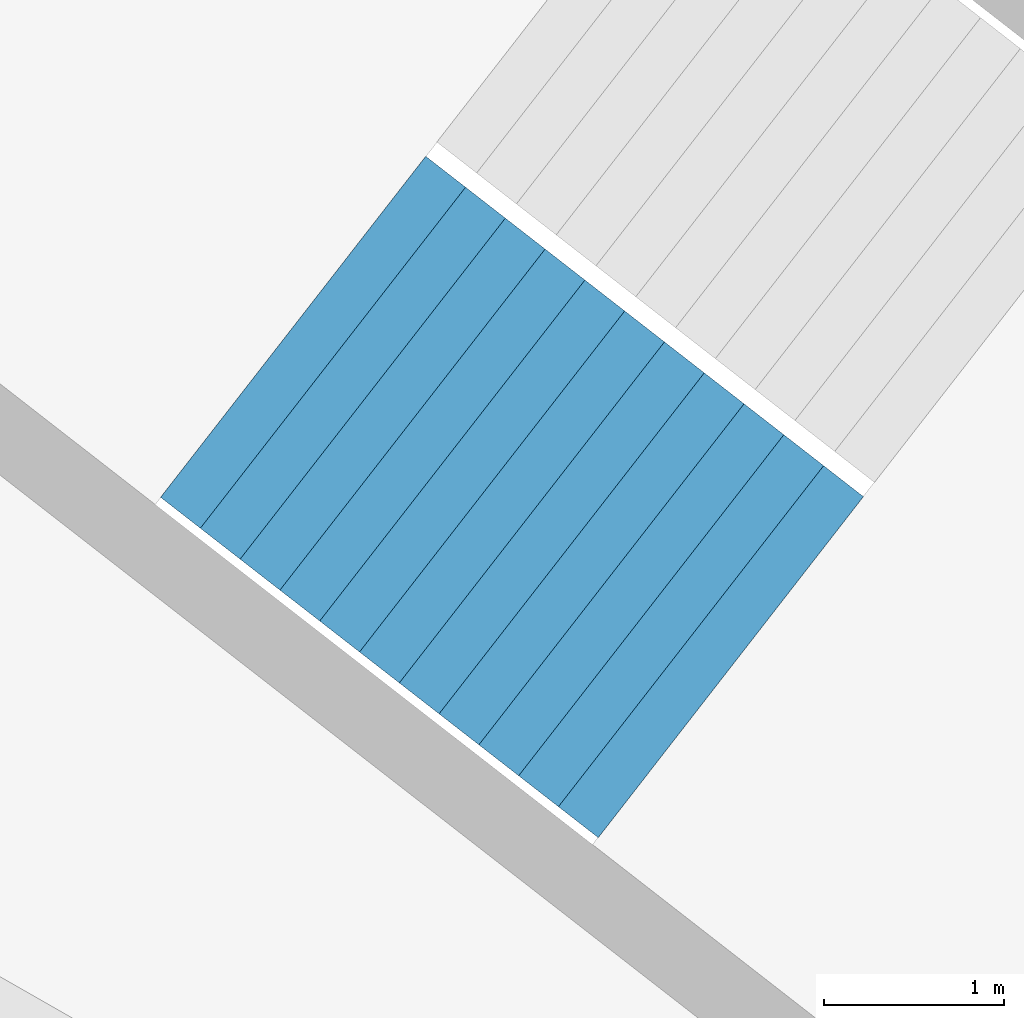
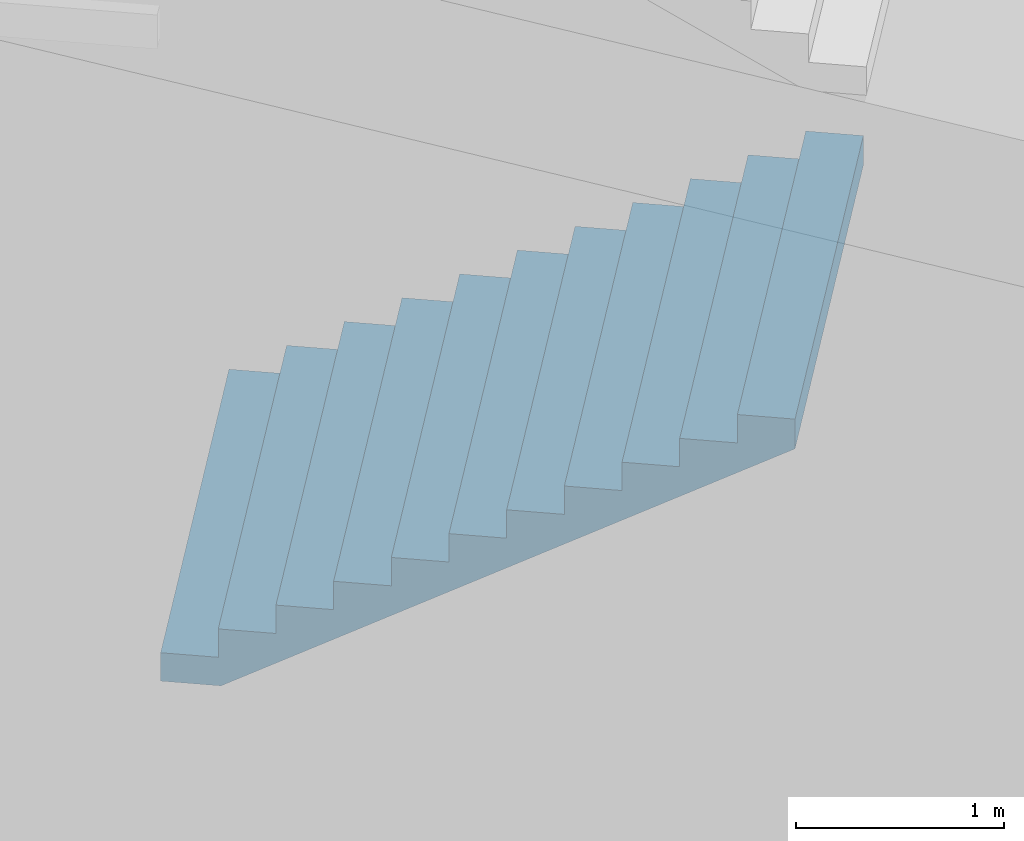
# One storey, part 38 of 74: 1 stair flight, 1 element without a shape of its own.
"""IFC4 building model written with IfcOpenShell, lengths in metres."""

from ifc_helpers import new_model, si_unit, direction, frame, origin, place, context, subcontext, project, spatial, triangles, material, type_object, element, aggregate, save


model = new_model("IFC4")

# Units and contexts
model_context = context("Model", 3, precision=1e-05, world=origin(), true_north=direction((0.0, 1.0)))
body_context = subcontext(model_context, "Body", "Model", "MODEL_VIEW")
ifc_project = project(units=[si_unit("LENGTHUNIT", "METRE"), si_unit("AREAUNIT", "SQUARE_METRE"), si_unit("VOLUMEUNIT", "CUBIC_METRE"), si_unit("PLANEANGLEUNIT", "RADIAN"), si_unit("MASSUNIT", "GRAM", prefix="KILO")], contexts=[model_context])

# Site, building, storey
site_placement = place(None, origin())
site = spatial("IfcSite", under=ifc_project, at=site_placement, CompositionType="ELEMENT")
building_placement = place(site_placement, origin())
building = spatial("IfcBuilding", under=site, at=building_placement, Name="Lantaw Convention Tower", CompositionType="ELEMENT")
storey_placement = place(building_placement, frame((0.0, 0.0, 6.5)))
storey = spatial("IfcBuildingStorey", under=building, at=storey_placement, Name="L01", CompositionType="ELEMENT", Elevation=6.5)

# Stair, stair flight
ifc_material = material(Name="Concrete C35/45", Category="concrete")
stair_type = type_object("IfcStairType", Name="Exit stair 2400 riser 166.67 in 4 flights", PredefinedType="HALF_TURN_STAIR", material=ifc_material)
stair_placement = place(storey_placement, origin())
stair = element("IfcStair", 1, at=stair_placement, inside=storey, type_object=stair_type, Name="Podium exit stair P7 L01", PredefinedType="HALF_TURN_STAIR")
stair_flight_type = type_object("IfcStairFlightType", Name="Stair flight 2400 riser 166.67", PredefinedType="STRAIGHT", material=ifc_material)
stair_flight_placement = place(storey_placement, frame((-31.92578125, 23.245361328125, 2.0), z_axis=(0.0, 0.0, 1.0), x_axis=(0.789378829664, -0.613906396186, 0.0)))
stair_flight = element("IfcStairFlight", 2, at=stair_flight_placement, type_object=stair_flight_type, Name="P7 flight 2", NumberOfRisers=12, NumberOfTreads=11, PredefinedType="STRAIGHT", RiserHeight=0.166666667, TreadLength=0.28, context=body_context, shape_type="Tessellation", body=[
    triangles([(0.0, 1.199951171875, 0.0), (0.0, 1.199951171875, 0.166666667), (0.28, 1.199951171875, 0.0), (0.28, 1.199951171875, 0.166666667), (0.28, 1.199951171875, 0.333333334), (0.29307345806906726, 1.199951171875, 0.0), (0.29307345806906726, 1.199951171875, 0.333333334), (0.56, 1.199951171875, 0.15888484670522965), (0.56, 1.199951171875, 0.333333334), (0.56, 1.199951171875, 0.500000001), (0.8400000000000001, 1.199951171875, 0.3255515137052296), (0.8400000000000001, 1.199951171875, 0.500000001), (0.8400000000000001, 1.199951171875, 0.666666668), (1.12, 1.199951171875, 0.4922181807052296), (1.12, 1.199951171875, 0.666666668), (1.12, 1.199951171875, 0.833333335), (1.4000000000000001, 1.199951171875, 0.6588848477052296), (1.4000000000000001, 1.199951171875, 0.833333335), (1.4000000000000001, 1.199951171875, 1.000000002), (1.6800000000000002, 1.199951171875, 0.8255515147052296), (1.6800000000000002, 1.199951171875, 1.000000002), (1.6800000000000002, 1.199951171875, 1.166666669), (1.9600000000000002, 1.199951171875, 0.9922181817052296), (1.9600000000000002, 1.199951171875, 1.166666669), (1.9600000000000002, 1.199951171875, 1.333333336), (2.24, 1.199951171875, 1.1588848487052295), (2.24, 1.199951171875, 1.333333336), (2.24, 1.199951171875, 1.5000000029999998), (2.5200000000000005, 1.199951171875, 1.3255515157052296), (2.5200000000000005, 1.199951171875, 1.5000000029999998), (2.5200000000000005, 1.199951171875, 1.66666667), (2.8000000000000003, 1.199951171875, 1.4922181827052294), (2.8000000000000003, 1.199951171875, 1.66666667), (2.8000000000000003, 1.199951171875, 1.833333337), (3.08, 1.199951171875, 1.6588848497052293), (3.08, 1.199951171875, 1.833333337), (0.0, -1.199951171875, 0.0), (0.0, -1.199951171875, 0.166666667), (0.28, -1.199951171875, 0.0), (0.28, -1.199951171875, 0.166666667), (0.28, -1.199951171875, 0.333333334), (0.29307345806906726, -1.199951171875, 0.0), (0.29307345806906726, -1.199951171875, 0.333333334), (0.56, -1.199951171875, 0.15888484670522965), (0.56, -1.199951171875, 0.333333334), (0.56, -1.199951171875, 0.500000001), (0.8400000000000001, -1.199951171875, 0.3255515137052296), (0.8400000000000001, -1.199951171875, 0.500000001), (0.8400000000000001, -1.199951171875, 0.666666668), (1.12, -1.199951171875, 0.4922181807052296), (1.12, -1.199951171875, 0.666666668), (1.12, -1.199951171875, 0.833333335), (1.4000000000000001, -1.199951171875, 0.6588848477052296), (1.4000000000000001, -1.199951171875, 0.833333335), (1.4000000000000001, -1.199951171875, 1.000000002), (1.6800000000000002, -1.199951171875, 0.8255515147052296), (1.6800000000000002, -1.199951171875, 1.000000002), (1.6800000000000002, -1.199951171875, 1.166666669), (1.9600000000000002, -1.199951171875, 0.9922181817052296), (1.9600000000000002, -1.199951171875, 1.166666669), (1.9600000000000002, -1.199951171875, 1.333333336), (2.24, -1.199951171875, 1.1588848487052295), (2.24, -1.199951171875, 1.333333336), (2.24, -1.199951171875, 1.5000000029999998), (2.5200000000000005, -1.199951171875, 1.3255515157052296), (2.5200000000000005, -1.199951171875, 1.5000000029999998), (2.5200000000000005, -1.199951171875, 1.66666667), (2.8000000000000003, -1.199951171875, 1.4922181827052294), (2.8000000000000003, -1.199951171875, 1.66666667), (2.8000000000000003, -1.199951171875, 1.833333337), (3.08, -1.199951171875, 1.6588848497052293), (3.08, -1.199951171875, 1.833333337), (0.0, 0.239990234375, 0.166666667), (0.0, 0.239990234375, 0.0), (0.0, 0.1199951171875, 0.166666667), (0.0, 0.1199951171875, 0.0), (0.0, 0.0, 0.166666667), (0.0, 0.0, 0.0), (0.0, -0.1199951171875, 0.166666667), (0.0, -0.1199951171875, 0.0), (0.0, -0.239990234375, 0.166666667), (0.0, -0.239990234375, 0.0), (0.28, 0.239990234375, 0.333333334), (0.28, 0.239990234375, 0.166666667), (0.28, 0.1199951171875, 0.333333334), (0.28, 0.1199951171875, 0.166666667), (0.28, 0.0, 0.333333334), (0.28, 0.0, 0.166666667), (0.28, -0.1199951171875, 0.333333334), (0.28, -0.1199951171875, 0.166666667), (0.28, -0.239990234375, 0.333333334), (0.28, -0.239990234375, 0.166666667), (0.56, 0.239990234375, 0.500000001), (0.56, 0.239990234375, 0.333333334), (0.56, 0.1199951171875, 0.500000001), (0.56, 0.1199951171875, 0.333333334), (0.56, 0.0, 0.500000001), (0.56, 0.0, 0.333333334), (0.56, -0.1199951171875, 0.500000001), (0.56, -0.1199951171875, 0.333333334), (0.56, -0.239990234375, 0.500000001), (0.56, -0.239990234375, 0.333333334), (0.8400000000000001, 0.239990234375, 0.666666668), (0.8400000000000001, 0.239990234375, 0.500000001), (0.8400000000000001, 0.1199951171875, 0.666666668), (0.8400000000000001, 0.1199951171875, 0.500000001), (0.8400000000000001, 0.0, 0.666666668), (0.8400000000000001, 0.0, 0.500000001), (0.8400000000000001, -0.1199951171875, 0.666666668), (0.8400000000000001, -0.1199951171875, 0.500000001), (0.8400000000000001, -0.239990234375, 0.666666668), (0.8400000000000001, -0.239990234375, 0.500000001), (1.12, 0.239990234375, 0.833333335), (1.12, 0.239990234375, 0.666666668), (1.12, 0.1199951171875, 0.833333335), (1.12, 0.1199951171875, 0.666666668), (1.12, 0.0, 0.833333335), (1.12, 0.0, 0.666666668), (1.12, -0.1199951171875, 0.833333335), (1.12, -0.1199951171875, 0.666666668), (1.12, -0.239990234375, 0.833333335), (1.12, -0.239990234375, 0.666666668), (1.4000000000000001, 0.239990234375, 1.000000002), (1.4000000000000001, 0.239990234375, 0.833333335), (1.4000000000000001, 0.1199951171875, 1.000000002), (1.4000000000000001, 0.1199951171875, 0.833333335), (1.4000000000000001, 0.0, 1.000000002), (1.4000000000000001, 0.0, 0.833333335), (1.4000000000000001, -0.1199951171875, 1.000000002), (1.4000000000000001, -0.1199951171875, 0.833333335), (1.4000000000000001, -0.239990234375, 1.000000002), (1.4000000000000001, -0.239990234375, 0.833333335), (1.6800000000000002, 0.239990234375, 1.166666669), (1.6800000000000002, 0.239990234375, 1.000000002), (1.6800000000000002, 0.1199951171875, 1.166666669), (1.6800000000000002, 0.1199951171875, 1.000000002), (1.6800000000000002, 0.0, 1.166666669), (1.6800000000000002, 0.0, 1.000000002), (1.6800000000000002, -0.1199951171875, 1.166666669), (1.6800000000000002, -0.1199951171875, 1.000000002), (1.6800000000000002, -0.239990234375, 1.166666669), (1.6800000000000002, -0.239990234375, 1.000000002), (1.9600000000000002, 0.239990234375, 1.333333336), (1.9600000000000002, 0.239990234375, 1.166666669), (1.9600000000000002, 0.1199951171875, 1.333333336), (1.9600000000000002, 0.1199951171875, 1.166666669), (1.9600000000000002, 0.0, 1.333333336), (1.9600000000000002, 0.0, 1.166666669), (1.9600000000000002, -0.1199951171875, 1.333333336), (1.9600000000000002, -0.1199951171875, 1.166666669), (1.9600000000000002, -0.239990234375, 1.333333336), (1.9600000000000002, -0.239990234375, 1.166666669), (2.24, 0.239990234375, 1.5000000029999998), (2.24, 0.239990234375, 1.333333336), (2.24, 0.1199951171875, 1.5000000029999998), (2.24, 0.1199951171875, 1.333333336), (2.24, 0.0, 1.5000000029999998), (2.24, 0.0, 1.333333336), (2.24, -0.1199951171875, 1.5000000029999998), (2.24, -0.1199951171875, 1.333333336), (2.24, -0.239990234375, 1.5000000029999998), (2.24, -0.239990234375, 1.333333336), (2.5200000000000005, 0.239990234375, 1.66666667), (2.5200000000000005, 0.239990234375, 1.5000000029999998), (2.5200000000000005, 0.1199951171875, 1.66666667), (2.5200000000000005, 0.1199951171875, 1.5000000029999998), (2.5200000000000005, 0.0, 1.66666667), (2.5200000000000005, 0.0, 1.5000000029999998), (2.5200000000000005, -0.1199951171875, 1.66666667), (2.5200000000000005, -0.1199951171875, 1.5000000029999998), (2.5200000000000005, -0.239990234375, 1.66666667), (2.5200000000000005, -0.239990234375, 1.5000000029999998), (2.8000000000000003, 0.239990234375, 1.833333337), (2.8000000000000003, 0.239990234375, 1.66666667), (2.8000000000000003, 0.1199951171875, 1.833333337), (2.8000000000000003, 0.1199951171875, 1.66666667), (2.8000000000000003, 0.0, 1.833333337), (2.8000000000000003, 0.0, 1.66666667), (2.8000000000000003, -0.1199951171875, 1.833333337), (2.8000000000000003, -0.1199951171875, 1.66666667), (2.8000000000000003, -0.239990234375, 1.833333337), (2.8000000000000003, -0.239990234375, 1.66666667), (0.29307345806906726, 0.239990234375, 0.333333334), (0.29307345806906726, 0.1199951171875, 0.333333334), (0.29307345806906726, 0.0, 0.333333334), (0.29307345806906726, -0.1199951171875, 0.333333334), (0.29307345806906726, -0.239990234375, 0.333333334), (3.08, 0.239990234375, 1.833333337), (3.08, 0.1199951171875, 1.833333337), (3.08, 0.0, 1.833333337), (3.08, -0.1199951171875, 1.833333337), (3.08, -0.239990234375, 1.833333337), (3.08, 0.239990234375, 1.6588848497052293), (3.08, 0.1199951171875, 1.6588848497052293), (3.08, 0.0, 1.6588848497052293), (3.08, -0.1199951171875, 1.6588848497052293), (3.08, -0.239990234375, 1.6588848497052293), (2.8000000000000003, 0.239990234375, 1.4922181827052294), (2.8000000000000003, 0.1199951171875, 1.4922181827052294), (2.8000000000000003, 0.0, 1.4922181827052294), (2.8000000000000003, -0.1199951171875, 1.4922181827052294), (2.8000000000000003, -0.239990234375, 1.4922181827052294), (2.5200000000000005, 0.239990234375, 1.3255515157052296), (2.5200000000000005, 0.1199951171875, 1.3255515157052296), (2.5200000000000005, 0.0, 1.3255515157052296), (2.5200000000000005, -0.1199951171875, 1.3255515157052296), (2.5200000000000005, -0.239990234375, 1.3255515157052296), (2.24, 0.239990234375, 1.1588848487052295), (2.24, 0.1199951171875, 1.1588848487052295), (2.24, 0.0, 1.1588848487052295), (2.24, -0.1199951171875, 1.1588848487052295), (2.24, -0.239990234375, 1.1588848487052295), (1.9600000000000002, 0.239990234375, 0.9922181817052296), (1.9600000000000002, 0.1199951171875, 0.9922181817052296), (1.9600000000000002, 0.0, 0.9922181817052296), (1.9600000000000002, -0.1199951171875, 0.9922181817052296), (1.9600000000000002, -0.239990234375, 0.9922181817052296), (1.6800000000000002, 0.239990234375, 0.8255515147052296), (1.6800000000000002, 0.1199951171875, 0.8255515147052296), (1.6800000000000002, 0.0, 0.8255515147052296), (1.6800000000000002, -0.1199951171875, 0.8255515147052296), (1.6800000000000002, -0.239990234375, 0.8255515147052296), (1.4000000000000001, 0.239990234375, 0.6588848477052296), (1.4000000000000001, 0.1199951171875, 0.6588848477052296), (1.4000000000000001, 0.0, 0.6588848477052296), (1.4000000000000001, -0.1199951171875, 0.6588848477052296), (1.4000000000000001, -0.239990234375, 0.6588848477052296), (1.12, 0.239990234375, 0.4922181807052296), (1.12, 0.1199951171875, 0.4922181807052296), (1.12, 0.0, 0.4922181807052296), (1.12, -0.1199951171875, 0.4922181807052296), (1.12, -0.239990234375, 0.4922181807052296), (0.8400000000000001, 0.239990234375, 0.3255515137052296), (0.8400000000000001, 0.1199951171875, 0.3255515137052296), (0.8400000000000001, 0.0, 0.3255515137052296), (0.8400000000000001, -0.1199951171875, 0.3255515137052296), (0.8400000000000001, -0.239990234375, 0.3255515137052296), (0.56, 0.239990234375, 0.15888484670522965), (0.56, 0.1199951171875, 0.15888484670522965), (0.56, 0.0, 0.15888484670522965), (0.56, -0.1199951171875, 0.15888484670522965), (0.56, -0.239990234375, 0.15888484670522965), (0.29307345806906726, 0.239990234375, 0.0), (0.29307345806906726, 0.1199951171875, 0.0), (0.29307345806906726, 0.0, 0.0), (0.29307345806906726, -0.1199951171875, 0.0), (0.29307345806906726, -0.239990234375, 0.0), (0.28, 0.239990234375, 0.0), (0.28, 0.1199951171875, 0.0), (0.28, 0.0, 0.0), (0.28, -0.1199951171875, 0.0), (0.28, -0.239990234375, 0.0)], [[1, 4, 3], [1, 2, 4], [3, 4, 6], [4, 7, 6], [4, 5, 7], [6, 9, 8], [6, 7, 9], [8, 9, 11], [9, 12, 11], [9, 10, 12], [11, 12, 14], [12, 15, 14], [12, 13, 15], [14, 15, 17], [15, 18, 17], [15, 16, 18], [17, 18, 20], [18, 21, 20], [18, 19, 21], [20, 21, 23], [21, 24, 23], [21, 22, 24], [23, 24, 26], [24, 27, 26], [24, 25, 27], [26, 27, 29], [27, 30, 29], [27, 28, 30], [29, 30, 32], [30, 33, 32], [30, 31, 33], [32, 33, 35], [33, 36, 35], [33, 34, 36], [37, 39, 40], [37, 40, 38], [39, 42, 40], [40, 42, 43], [40, 43, 41], [42, 44, 45], [42, 45, 43], [44, 47, 45], [45, 47, 48], [45, 48, 46], [47, 50, 48], [48, 50, 51], [48, 51, 49], [50, 53, 51], [51, 53, 54], [51, 54, 52], [53, 56, 54], [54, 56, 57], [54, 57, 55], [56, 59, 57], [57, 59, 60], [57, 60, 58], [59, 62, 60], [60, 62, 63], [60, 63, 61], [62, 65, 63], [63, 65, 66], [63, 66, 64], [65, 68, 66], [66, 68, 69], [66, 69, 67], [68, 71, 69], [69, 71, 72], [69, 72, 70], [1, 73, 2], [1, 74, 73], [74, 75, 73], [74, 76, 75], [76, 77, 75], [76, 78, 77], [78, 79, 77], [78, 80, 79], [80, 81, 79], [80, 82, 81], [82, 38, 81], [82, 37, 38], [4, 83, 5], [4, 84, 83], [84, 85, 83], [84, 86, 85], [86, 87, 85], [86, 88, 87], [88, 89, 87], [88, 90, 89], [90, 91, 89], [90, 92, 91], [92, 41, 91], [92, 40, 41], [9, 93, 10], [9, 94, 93], [94, 95, 93], [94, 96, 95], [96, 97, 95], [96, 98, 97], [98, 99, 97], [98, 100, 99], [100, 101, 99], [100, 102, 101], [102, 46, 101], [102, 45, 46], [12, 103, 13], [12, 104, 103], [104, 105, 103], [104, 106, 105], [106, 107, 105], [106, 108, 107], [108, 109, 107], [108, 110, 109], [110, 111, 109], [110, 112, 111], [112, 49, 111], [112, 48, 49], [15, 113, 16], [15, 114, 113], [114, 115, 113], [114, 116, 115], [116, 117, 115], [116, 118, 117], [118, 119, 117], [118, 120, 119], [120, 121, 119], [120, 122, 121], [122, 52, 121], [122, 51, 52], [18, 123, 19], [18, 124, 123], [124, 125, 123], [124, 126, 125], [126, 127, 125], [126, 128, 127], [128, 129, 127], [128, 130, 129], [130, 131, 129], [130, 132, 131], [132, 55, 131], [132, 54, 55], [21, 133, 22], [21, 134, 133], [134, 135, 133], [134, 136, 135], [136, 137, 135], [136, 138, 137], [138, 139, 137], [138, 140, 139], [140, 141, 139], [140, 142, 141], [142, 58, 141], [142, 57, 58], [24, 143, 25], [24, 144, 143], [144, 145, 143], [144, 146, 145], [146, 147, 145], [146, 148, 147], [148, 149, 147], [148, 150, 149], [150, 151, 149], [150, 152, 151], [152, 61, 151], [152, 60, 61], [27, 153, 28], [27, 154, 153], [154, 155, 153], [154, 156, 155], [156, 157, 155], [156, 158, 157], [158, 159, 157], [158, 160, 159], [160, 161, 159], [160, 162, 161], [162, 64, 161], [162, 63, 64], [30, 163, 31], [30, 164, 163], [164, 165, 163], [164, 166, 165], [166, 167, 165], [166, 168, 167], [168, 169, 167], [168, 170, 169], [170, 171, 169], [170, 172, 171], [172, 67, 171], [172, 66, 67], [33, 173, 34], [33, 174, 173], [174, 175, 173], [174, 176, 175], [176, 177, 175], [176, 178, 177], [178, 179, 177], [178, 180, 179], [180, 181, 179], [180, 182, 181], [182, 70, 181], [182, 69, 70], [2, 84, 4], [2, 73, 84], [73, 86, 84], [73, 75, 86], [75, 88, 86], [75, 77, 88], [77, 90, 88], [77, 79, 90], [79, 92, 90], [79, 81, 92], [81, 40, 92], [81, 38, 40], [5, 183, 7], [5, 83, 183], [83, 184, 183], [83, 85, 184], [85, 185, 184], [85, 87, 185], [87, 186, 185], [87, 89, 186], [89, 187, 186], [89, 91, 187], [91, 43, 187], [91, 41, 43], [7, 94, 9], [7, 183, 94], [183, 96, 94], [183, 184, 96], [184, 98, 96], [184, 185, 98], [185, 100, 98], [185, 186, 100], [186, 102, 100], [186, 187, 102], [187, 45, 102], [187, 43, 45], [10, 104, 12], [10, 93, 104], [93, 106, 104], [93, 95, 106], [95, 108, 106], [95, 97, 108], [97, 110, 108], [97, 99, 110], [99, 112, 110], [99, 101, 112], [101, 48, 112], [101, 46, 48], [13, 114, 15], [13, 103, 114], [103, 116, 114], [103, 105, 116], [105, 118, 116], [105, 107, 118], [107, 120, 118], [107, 109, 120], [109, 122, 120], [109, 111, 122], [111, 51, 122], [111, 49, 51], [16, 124, 18], [16, 113, 124], [113, 126, 124], [113, 115, 126], [115, 128, 126], [115, 117, 128], [117, 130, 128], [117, 119, 130], [119, 132, 130], [119, 121, 132], [121, 54, 132], [121, 52, 54], [19, 134, 21], [19, 123, 134], [123, 136, 134], [123, 125, 136], [125, 138, 136], [125, 127, 138], [127, 140, 138], [127, 129, 140], [129, 142, 140], [129, 131, 142], [131, 57, 142], [131, 55, 57], [22, 144, 24], [22, 133, 144], [133, 146, 144], [133, 135, 146], [135, 148, 146], [135, 137, 148], [137, 150, 148], [137, 139, 150], [139, 152, 150], [139, 141, 152], [141, 60, 152], [141, 58, 60], [25, 154, 27], [25, 143, 154], [143, 156, 154], [143, 145, 156], [145, 158, 156], [145, 147, 158], [147, 160, 158], [147, 149, 160], [149, 162, 160], [149, 151, 162], [151, 63, 162], [151, 61, 63], [28, 164, 30], [28, 153, 164], [153, 166, 164], [153, 155, 166], [155, 168, 166], [155, 157, 168], [157, 170, 168], [157, 159, 170], [159, 172, 170], [159, 161, 172], [161, 66, 172], [161, 64, 66], [31, 174, 33], [31, 163, 174], [163, 176, 174], [163, 165, 176], [165, 178, 176], [165, 167, 178], [167, 180, 178], [167, 169, 180], [169, 182, 180], [169, 171, 182], [171, 69, 182], [171, 67, 69], [34, 188, 36], [34, 173, 188], [173, 189, 188], [173, 175, 189], [175, 190, 189], [175, 177, 190], [177, 191, 190], [177, 179, 191], [179, 192, 191], [179, 181, 192], [181, 72, 192], [181, 70, 72], [36, 193, 35], [36, 188, 193], [188, 194, 193], [188, 189, 194], [189, 195, 194], [189, 190, 195], [190, 196, 195], [190, 191, 196], [191, 197, 196], [191, 192, 197], [192, 71, 197], [192, 72, 71], [35, 198, 32], [35, 193, 198], [193, 199, 198], [193, 194, 199], [194, 200, 199], [194, 195, 200], [195, 201, 200], [195, 196, 201], [196, 202, 201], [196, 197, 202], [197, 68, 202], [197, 71, 68], [32, 203, 29], [32, 198, 203], [198, 204, 203], [198, 199, 204], [199, 205, 204], [199, 200, 205], [200, 206, 205], [200, 201, 206], [201, 207, 206], [201, 202, 207], [202, 65, 207], [202, 68, 65], [29, 208, 26], [29, 203, 208], [203, 209, 208], [203, 204, 209], [204, 210, 209], [204, 205, 210], [205, 211, 210], [205, 206, 211], [206, 212, 211], [206, 207, 212], [207, 62, 212], [207, 65, 62], [26, 213, 23], [26, 208, 213], [208, 214, 213], [208, 209, 214], [209, 215, 214], [209, 210, 215], [210, 216, 215], [210, 211, 216], [211, 217, 216], [211, 212, 217], [212, 59, 217], [212, 62, 59], [23, 218, 20], [23, 213, 218], [213, 219, 218], [213, 214, 219], [214, 220, 219], [214, 215, 220], [215, 221, 220], [215, 216, 221], [216, 222, 221], [216, 217, 222], [217, 56, 222], [217, 59, 56], [20, 223, 17], [20, 218, 223], [218, 224, 223], [218, 219, 224], [219, 225, 224], [219, 220, 225], [220, 226, 225], [220, 221, 226], [221, 227, 226], [221, 222, 227], [222, 53, 227], [222, 56, 53], [17, 228, 14], [17, 223, 228], [223, 229, 228], [223, 224, 229], [224, 230, 229], [224, 225, 230], [225, 231, 230], [225, 226, 231], [226, 232, 231], [226, 227, 232], [227, 50, 232], [227, 53, 50], [14, 233, 11], [14, 228, 233], [228, 234, 233], [228, 229, 234], [229, 235, 234], [229, 230, 235], [230, 236, 235], [230, 231, 236], [231, 237, 236], [231, 232, 237], [232, 47, 237], [232, 50, 47], [11, 238, 8], [11, 233, 238], [233, 239, 238], [233, 234, 239], [234, 240, 239], [234, 235, 240], [235, 241, 240], [235, 236, 241], [236, 242, 241], [236, 237, 242], [237, 44, 242], [237, 47, 44], [8, 243, 6], [8, 238, 243], [238, 244, 243], [238, 239, 244], [239, 245, 244], [239, 240, 245], [240, 246, 245], [240, 241, 246], [241, 247, 246], [241, 242, 247], [242, 42, 247], [242, 44, 42], [6, 248, 3], [6, 243, 248], [243, 249, 248], [243, 244, 249], [244, 250, 249], [244, 245, 250], [245, 251, 250], [245, 246, 251], [246, 252, 251], [246, 247, 252], [247, 39, 252], [247, 42, 39], [3, 74, 1], [3, 248, 74], [248, 76, 74], [248, 249, 76], [249, 78, 76], [249, 250, 78], [250, 80, 78], [250, 251, 80], [251, 82, 80], [251, 252, 82], [252, 37, 82], [252, 39, 37]], closed=True),
])
aggregate(stair, [stair_flight])

save(model, "model.ifc")
